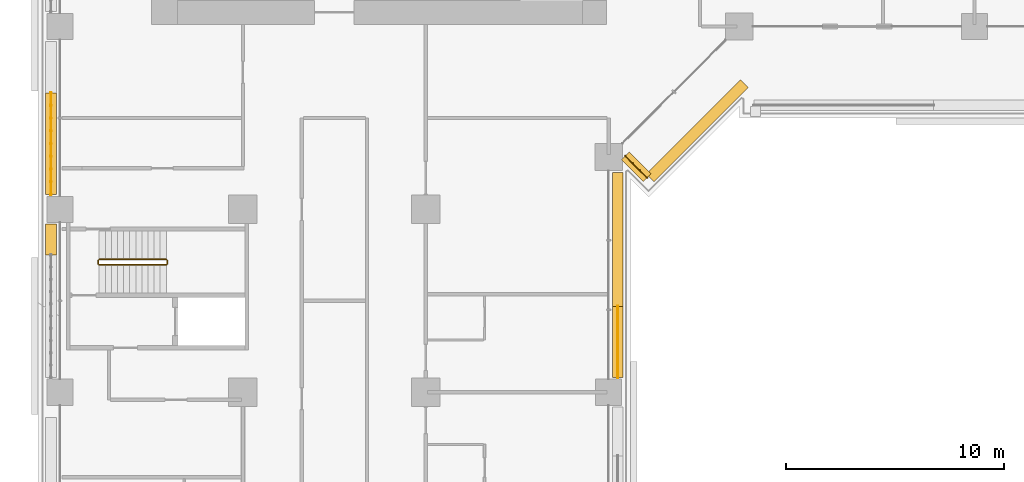
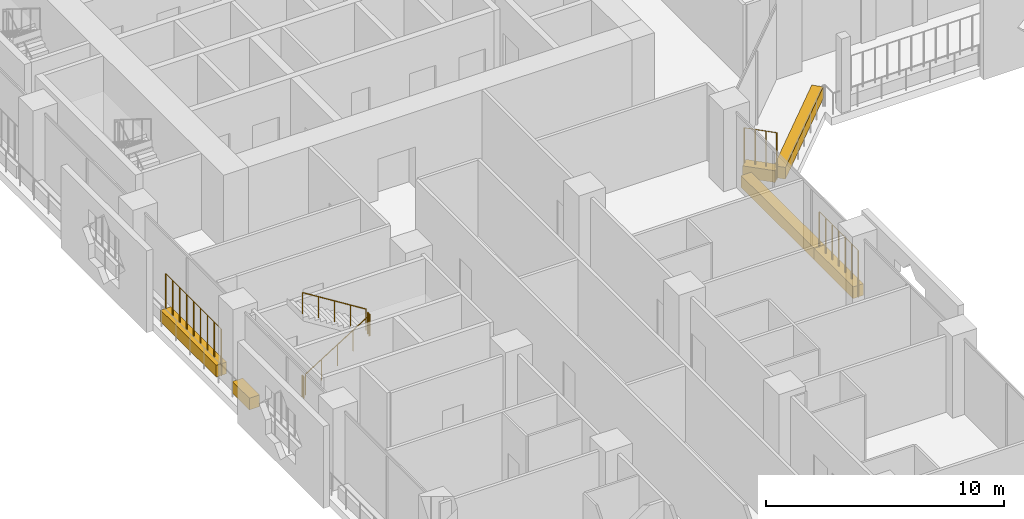
# One storey, part 21 of 27: 7 railings, 6 coverings.
"""IFC4 building model written with IfcOpenShell, lengths in metres."""

import ifcopenshell
import ifcopenshell.guid

model = None  # the IFC model being written
_history = None  # IfcOwnerHistory: only IFC2X3 demands one
_inside = {}  # id of a spatial element -> (the spatial element, [elements in it])
_under = {}  # id of a project, library or spatial element -> (it, [spatial elements below it])
_declared = {}  # id of a project -> (the project, [libraries it declares])
_typed = {}  # id of a type object -> (the type object, [elements of that type])
_made_of = {}  # id of a material, layer set ... -> (it, [elements and type objects made of it])


def new_model(schema):
    """Start an empty IFC model of exactly this schema.

    Asked for "IFC4X3", IfcOpenShell would pick the latest addendum, in which some entities
    have other attributes; the version numbers below select the first issue.
    IFC2X3 requires an IfcOwnerHistory on every rooted entity: one is made here for all.
    """
    global model, _history
    if schema == "IFC4X3":
        model = ifcopenshell.file(schema_version=(4, 3, 0, 0))
    else:
        model = ifcopenshell.file(schema=schema)
    _inside.clear()
    _under.clear()
    _declared.clear()
    _typed.clear()
    _made_of.clear()
    _history = None
    if model.schema == "IFC2X3":
        org = make("IfcOrganization", Name="unknown")
        user = make(
            "IfcPersonAndOrganization",
            ThePerson=make("IfcPerson", FamilyName="unknown"),
            TheOrganization=org,
        )
        app = make(
            "IfcApplication",
            ApplicationDeveloper=org,
            Version="unknown",
            ApplicationFullName="unknown",
            ApplicationIdentifier="unknown",
        )
        _history = make(
            "IfcOwnerHistory",
            OwningUser=user,
            OwningApplication=app,
            ChangeAction="ADDED",
            CreationDate=0,
        )
    return model


def make(cls, **values):
    """One entity of the class cls with the attributes given. An attribute that is None is left unset."""
    return model.create_entity(
        cls, **{name: value for name, value in values.items() if value is not None}
    )


def rooted(cls, **values):
    """An entity with a GlobalId (a new one), such as an element, a storey or a relation."""
    return make(cls, GlobalId=ifcopenshell.guid.new(), OwnerHistory=_history, **values)


def si_unit(unit_type, name, prefix=None):
    """IfcSIUnit, for example si_unit("LENGTHUNIT", "METRE", prefix="MILLI")."""
    return make("IfcSIUnit", UnitType=unit_type, Prefix=prefix, Name=name)


def assignment(units):
    """IfcUnitAssignment: the units of a project."""
    return None if units is None else make("IfcUnitAssignment", Units=units)


def point(xyz):
    """IfcCartesianPoint."""
    return None if xyz is None else make("IfcCartesianPoint", Coordinates=xyz)


def direction(xyz):
    """IfcDirection."""
    return None if xyz is None else make("IfcDirection", DirectionRatios=xyz)


def frame(location, z_axis=None, x_axis=None):
    """IfcAxis2Placement3D, a coordinate frame: its origin and axes. An axis left out is left unset."""
    return make(
        "IfcAxis2Placement3D",
        Location=point(location),
        Axis=direction(z_axis),
        RefDirection=direction(x_axis),
    )


def frame_2d(location, x_axis=None):
    """IfcAxis2Placement2D, a coordinate frame in the plane: its origin and x axis."""
    return make(
        "IfcAxis2Placement2D", Location=point(location), RefDirection=direction(x_axis)
    )


def origin():
    """The frame at (0, 0, 0) with its axes left unset."""
    return frame((0.0, 0.0, 0.0))


def origin_2d():
    """The frame at (0, 0) in the plane with its x axis left unset."""
    return frame_2d((0.0, 0.0))


def place(relative_to, where):
    """IfcLocalPlacement: puts the frame where relative to a parent placement (None: the world)."""
    return make(
        "IfcLocalPlacement", PlacementRelTo=relative_to, RelativePlacement=where
    )


def context(
    kind, dimensions, precision=None, world=None, true_north=None, identifier=None
):
    """IfcGeometricRepresentationContext, for example the 3D "Model" context."""
    return make(
        "IfcGeometricRepresentationContext",
        ContextIdentifier=identifier,
        ContextType=kind,
        CoordinateSpaceDimension=dimensions,
        Precision=precision,
        WorldCoordinateSystem=world,
        TrueNorth=true_north,
    )


def subcontext(parent, identifier, kind, view, scale=None):
    """IfcGeometricRepresentationSubContext, for example "Body" below "Model"."""
    return make(
        "IfcGeometricRepresentationSubContext",
        ContextIdentifier=identifier,
        ContextType=kind,
        ParentContext=parent,
        TargetScale=scale,
        TargetView=view,
    )


def project(units=None, contexts=None):
    """IfcProject with its units and contexts."""
    return rooted(
        "IfcProject",
        Name="project",
        RepresentationContexts=contexts,
        UnitsInContext=assignment(units),
    )


def spatial(cls, under=None, at=None, **own):
    """A site, building, storey or space (cls), placed at a placement, below another one or the project."""
    s = rooted(cls, ObjectPlacement=at, **own)
    if under is not None:
        _under.setdefault(under.id(), (under, []))[1].append(s)
    return s


def profile(cls, at=None, kind="AREA", **sizes):
    """A parametric profile (cls). Its sizes go by their IFC names, for example OverallWidth=200.0."""
    return make(cls, ProfileType=kind, Position=at, **sizes)


def rectangle(**sizes):
    """IfcRectangleProfileDef."""
    return profile("IfcRectangleProfileDef", **sizes)


def circle(**sizes):
    """IfcCircleProfileDef."""
    return profile("IfcCircleProfileDef", **sizes)


def extrude(swept, where, along, depth):
    """IfcExtrudedAreaSolid: the profile swept, set in the frame where, extruded along a direction by depth."""
    return make(
        "IfcExtrudedAreaSolid",
        SweptArea=swept,
        Position=where,
        ExtrudedDirection=direction(along),
        Depth=depth,
    )


def shape(context_of_items, identifier, shape_type, items):
    """IfcShapeRepresentation: the items that make up one representation, for example the "Body"."""
    return make(
        "IfcShapeRepresentation",
        ContextOfItems=context_of_items,
        RepresentationIdentifier=identifier,
        RepresentationType=shape_type,
        Items=items,
    )


def material(Name=None, Category=None):
    """IfcMaterial."""
    return make("IfcMaterial", Name=Name, Category=Category)


def material_profile(
    of_material, cross_section, Name=None, Category=None, Priority=None
):
    """IfcMaterialProfile: a cross section and its material."""
    return make(
        "IfcMaterialProfile",
        Name=Name,
        Material=of_material,
        Profile=cross_section,
        Priority=Priority,
        Category=Category,
    )


def profile_set(profiles, Name=None, composite=None):
    """IfcMaterialProfileSet."""
    return make(
        "IfcMaterialProfileSet",
        Name=Name,
        MaterialProfiles=profiles,
        CompositeProfile=composite,
    )


def made_of(thing, what):
    """Note that an element or type object is made of a material, layer set ...; save() writes the relation."""
    if what is not None:
        _made_of.setdefault(what.id(), (what, []))[1].append(thing)
    return thing


def type_object(cls, material=None, **own):
    """A type object (cls), such as IfcWallType, which elements share."""
    return made_of(rooted(cls, **own), material)


def element(
    cls,
    number,
    at=None,
    inside=None,
    cuts=None,
    type_object=None,
    material=None,
    context=None,
    identifier="Body",
    shape_type=None,
    held_by="IfcProductDefinitionShape",
    body=None,
    shapes=None,
    **own,
):
    """One element of the class cls, such as IfcWall. Its Tag is "e" and its number.

    at: its placement. inside: the storey or other place that contains it. cuts: it is an
    opening in that element (IfcRelVoidsElement). A single representation is given by context,
    identifier, shape_type and body (its items); several are given by shapes. held_by: the class
    of the entity that holds the representations. save() writes the other relations.
    """
    e = rooted(cls, Tag="e%d" % number, ObjectPlacement=at, **own)
    if body is not None:
        shapes = [shape(context, identifier, shape_type, body)]
    if shapes is not None:
        e.Representation = make(held_by, Representations=shapes)
    if inside is not None:
        _inside.setdefault(inside.id(), (inside, []))[1].append(e)
    if cuts is not None:
        rooted(
            "IfcRelVoidsElement", RelatingBuildingElement=cuts, RelatedOpeningElement=e
        )
    if type_object is not None:
        _typed.setdefault(type_object.id(), (type_object, []))[1].append(e)
    return made_of(e, material)


def aggregate(whole, parts):
    """IfcRelAggregates: a whole, such as a stair, and the parts it consists of."""
    return rooted("IfcRelAggregates", RelatingObject=whole, RelatedObjects=parts)


def save(model, path):
    """Write the relations noted so far, then the file.

    IfcRelAggregates (storeys below a building ...), IfcRelContainedInSpatialStructure (elements
    in a storey), IfcRelDefinesByType, IfcRelAssociatesMaterial and IfcRelDeclares: one each for
    every whole, place, type object, material and project.
    """
    for whole, parts in _under.values():
        aggregate(whole, parts)
    for where, things in _inside.values():
        rooted(
            "IfcRelContainedInSpatialStructure",
            RelatedElements=things,
            RelatingStructure=where,
        )
    for kind, things in _typed.values():
        rooted("IfcRelDefinesByType", RelatedObjects=things, RelatingType=kind)
    for what, things in _made_of.values():
        rooted("IfcRelAssociatesMaterial", RelatedObjects=things, RelatingMaterial=what)
    for by, libraries in _declared.values():
        rooted("IfcRelDeclares", RelatingContext=by, RelatedDefinitions=libraries)
    model.write(path)


model = new_model("IFC4")

# Units and contexts
model_context = context("Model", 3, precision=1e-05, world=origin(), true_north=direction((0.0, 1.0)))
body_context = subcontext(model_context, "Body", "Model", "MODEL_VIEW")
ifc_project = project(units=[si_unit("LENGTHUNIT", "METRE"), si_unit("AREAUNIT", "SQUARE_METRE"), si_unit("VOLUMEUNIT", "CUBIC_METRE"), si_unit("PLANEANGLEUNIT", "RADIAN"), si_unit("MASSUNIT", "GRAM", prefix="KILO")], contexts=[model_context])

# Site, building, storey
site_placement = place(None, origin())
site = spatial("IfcSite", under=ifc_project, at=site_placement, CompositionType="ELEMENT")
building_placement = place(site_placement, origin())
building = spatial("IfcBuilding", under=site, at=building_placement, Name="Kawkab Arch Medical Tower", CompositionType="ELEMENT")
storey_placement = place(building_placement, frame((0.0, 0.0, 85.39990234375)))
storey = spatial("IfcBuildingStorey", under=building, at=storey_placement, Name="L19", CompositionType="ELEMENT", Elevation=85.39990234375)

# Coverings
ifc_material_1 = material(Name="Planting soil in a precast trough", Category="concrete")
ifc_material_profile = material_profile(ifc_material_1, rectangle(XDim=0.5, YDim=0.60009765625, at=origin_2d()), Name="Trough 500x600")
ifc_profile_set = profile_set([ifc_material_profile], Name="Planting soil in a precast trough")
covering_type = type_object("IfcCoveringType", Name="Planter trough 500 x 600", PredefinedType="USERDEFINED", material=ifc_profile_set)
covering_1_placement = place(storey_placement, frame((-0.419921875, -35.699951171875, 0.300048828125), z_axis=(0.0, 1.0, 0.0), x_axis=(-1.0, 0.0, 0.0)))
element("IfcCovering", 1, at=covering_1_placement, inside=storey, type_object=covering_type, Name="Planter L19.LOG-01-01.10", ObjectType="PLANTER", PredefinedType="USERDEFINED", context=body_context, shape_type="SweptSolid", body=[
    extrude(rectangle(XDim=0.5, YDim=0.60009765625, at=origin_2d()), origin(), (0.0, 0.0, 1.0), 1.419921875),
])
covering_2_placement = place(storey_placement, frame((-0.419921875, -32.919921875, 0.300048828125), z_axis=(0.0, 1.0, 0.0), x_axis=(-1.0, 0.0, 0.0)))
element("IfcCovering", 2, at=covering_2_placement, inside=storey, type_object=covering_type, Name="Planter L19.LOG-01-01.11", ObjectType="PLANTER", PredefinedType="USERDEFINED", context=body_context, shape_type="SweptSolid", body=[
    extrude(rectangle(XDim=0.5, YDim=0.60009765625, at=origin_2d()), origin(), (0.0, 0.0, 1.0), 4.676025390625),
])
covering_3_placement = place(storey_placement, frame((31.43701171875, -27.820068359375, 0.300048828125), z_axis=(-0.707206504313, -0.707007043994, 0.0), x_axis=(0.707007043994, -0.707206504313, 0.0)))
element("IfcCovering", 3, at=covering_3_placement, inside=storey, type_object=covering_type, Name="Planter L19.LOG-01-01.42", ObjectType="PLANTER", PredefinedType="USERDEFINED", context=body_context, shape_type="SweptSolid", body=[
    extrude(rectangle(XDim=0.5, YDim=0.60009765625, at=origin_2d()), origin(), (0.0, 0.0, 1.0), 6.1201171875),
])
covering_4_placement = place(storey_placement, frame((26.967041015625, -32.14697265625, 0.300048828125), z_axis=(-0.707192746389, 0.707020805532, 0.0), x_axis=(-0.707020805532, -0.707192746389, 0.0)))
element("IfcCovering", 4, at=covering_4_placement, inside=storey, type_object=covering_type, Name="Planter L19.LOG-01-01.43", ObjectType="PLANTER", PredefinedType="USERDEFINED", context=body_context, shape_type="SweptSolid", body=[
    extrude(rectangle(XDim=0.5, YDim=0.60009765625, at=origin_2d()), origin(), (0.0, 0.0, 1.0), 1.419921875),
])
covering_5_placement = place(storey_placement, frame((25.6201171875, -31.905029296875, 0.300048828125), z_axis=(0.0, -1.0, 0.0), x_axis=(1.0, 0.0, 0.0)))
element("IfcCovering", 5, at=covering_5_placement, inside=storey, type_object=covering_type, Name="Planter L19.LOG-01-01.44", ObjectType="PLANTER", PredefinedType="USERDEFINED", context=body_context, shape_type="SweptSolid", body=[
    extrude(rectangle(XDim=0.5, YDim=0.60009765625, at=origin_2d()), origin(), (0.0, 0.0, 1.0), 6.14794921875),
])
covering_6_placement = place(storey_placement, frame((25.6201171875, -38.052978515625, 0.300048828125), z_axis=(0.0, -1.0, 0.0), x_axis=(1.0, 0.0, 0.0)))
element("IfcCovering", 6, at=covering_6_placement, inside=storey, type_object=covering_type, Name="Planter L19.LOG-01-01.45", ObjectType="PLANTER", PredefinedType="USERDEFINED", context=body_context, shape_type="SweptSolid", body=[
    extrude(rectangle(XDim=0.5, YDim=0.60009765625, at=origin_2d()), origin(), (0.0, 0.0, 1.0), 3.26708984375),
])

# Railings
ifc_material_2 = material(Name="Bronze anodised aluminium trellis for climbing plants", Category="aluminium")
railing_type_1 = type_object("IfcRailingType", Name="Planting trellis 2400", PredefinedType="USERDEFINED", material=ifc_material_2)
railing_1_placement = place(storey_placement, frame((-0.419921875, -32.919921875, 0.0)))
element("IfcRailing", 7, at=railing_1_placement, inside=storey, type_object=railing_type_1, Name="Planting trellis L19.LOG-01-01.11", ObjectType="TRELLIS", PredefinedType="USERDEFINED", context=body_context, shape_type="SweptSolid", body=[
    extrude(circle(Radius=0.01513671875, at=origin_2d()), frame((0.0, 0.0, 2.384765625), z_axis=(0.0, 1.0, 0.0), x_axis=(-1.0, 0.0, 0.0)), (0.0, 0.0, 1.0), 4.676025390625),
    extrude(circle(Radius=0.030029296875, at=origin_2d()), origin(), (0.0, 0.0, 1.0), 2.369873046875),
    extrude(circle(Radius=0.030029296875, at=origin_2d()), frame((0.0, 0.58447265625, 0.0)), (0.0, 0.0, 1.0), 2.369873046875),
    extrude(circle(Radius=0.030029296875, at=origin_2d()), frame((0.0, 1.1689453125, 0.0)), (0.0, 0.0, 1.0), 2.369873046875),
    extrude(circle(Radius=0.030029296875, at=origin_2d()), frame((0.0, 1.75341796875, 0.0)), (0.0, 0.0, 1.0), 2.369873046875),
    extrude(circle(Radius=0.030029296875, at=origin_2d()), frame((0.0, 2.337890625, 0.0)), (0.0, 0.0, 1.0), 2.369873046875),
    extrude(circle(Radius=0.030029296875, at=origin_2d()), frame((0.0, 2.922607421875, 0.0)), (0.0, 0.0, 1.0), 2.369873046875),
    extrude(circle(Radius=0.030029296875, at=origin_2d()), frame((0.0, 3.507080078125, 0.0)), (0.0, 0.0, 1.0), 2.369873046875),
    extrude(circle(Radius=0.030029296875, at=origin_2d()), frame((0.0, 4.091552734375, 0.0)), (0.0, 0.0, 1.0), 2.369873046875),
    extrude(circle(Radius=0.030029296875, at=origin_2d()), frame((0.0, 4.676025390625, 0.0)), (0.0, 0.0, 1.0), 2.369873046875),
])
railing_2_placement = place(storey_placement, frame((26.967041015625, -32.14697265625, 0.0)))
element("IfcRailing", 8, at=railing_2_placement, inside=storey, type_object=railing_type_1, Name="Planting trellis L19.LOG-01-01.43", ObjectType="TRELLIS", PredefinedType="USERDEFINED", context=body_context, shape_type="SweptSolid", body=[
    extrude(circle(Radius=0.01513671875, at=origin_2d()), frame((0.0, 0.0, 2.384765625), z_axis=(-0.707192746389, 0.707020805532, 0.0), x_axis=(-0.707020805532, -0.707192746389, 0.0)), (0.0, 0.0, 1.0), 1.419921875),
    extrude(circle(Radius=0.030029296875, at=origin_2d()), origin(), (0.0, 0.0, 1.0), 2.369873046875),
    extrude(circle(Radius=0.030029296875, at=origin_2d()), frame((-0.334716796875, 0.334716796875, 0.0)), (0.0, 0.0, 1.0), 2.369873046875),
    extrude(circle(Radius=0.030029296875, at=origin_2d()), frame((-0.66943359375, 0.669189453125, 0.0)), (0.0, 0.0, 1.0), 2.369873046875),
    extrude(circle(Radius=0.030029296875, at=origin_2d()), frame((-1.004150390625, 1.00390625, 0.0)), (0.0, 0.0, 1.0), 2.369873046875),
])
railing_3_placement = place(storey_placement, frame((25.6201171875, -38.052978515625, 0.0)))
element("IfcRailing", 9, at=railing_3_placement, inside=storey, type_object=railing_type_1, Name="Planting trellis L19.LOG-01-01.45", ObjectType="TRELLIS", PredefinedType="USERDEFINED", context=body_context, shape_type="SweptSolid", body=[
    extrude(circle(Radius=0.01513671875, at=origin_2d()), frame((0.0, 0.0, 2.384765625), z_axis=(0.0, -1.0, 0.0), x_axis=(1.0, 0.0, 0.0)), (0.0, 0.0, 1.0), 3.26708984375),
    extrude(circle(Radius=0.030029296875, at=origin_2d()), origin(), (0.0, 0.0, 1.0), 2.369873046875),
    extrude(circle(Radius=0.030029296875, at=origin_2d()), frame((0.0, -0.54443359375, 0.0)), (0.0, 0.0, 1.0), 2.369873046875),
    extrude(circle(Radius=0.030029296875, at=origin_2d()), frame((0.0, -1.089111328125, 0.0)), (0.0, 0.0, 1.0), 2.369873046875),
    extrude(circle(Radius=0.030029296875, at=origin_2d()), frame((0.0, -1.633544921875, 0.0)), (0.0, 0.0, 1.0), 2.369873046875),
    extrude(circle(Radius=0.030029296875, at=origin_2d()), frame((0.0, -2.177978515625, 0.0)), (0.0, 0.0, 1.0), 2.369873046875),
    extrude(circle(Radius=0.030029296875, at=origin_2d()), frame((0.0, -2.72265625, 0.0)), (0.0, 0.0, 1.0), 2.369873046875),
    extrude(circle(Radius=0.030029296875, at=origin_2d()), frame((0.0, -3.26708984375, 0.0)), (0.0, 0.0, 1.0), 2.369873046875),
])
ifc_material_3 = material(Name="Stainless steel", Category="steel")
railing_type_2 = type_object("IfcRailingType", Name="Stair guard 1100", PredefinedType="GUARDRAIL", material=ifc_material_3)
railing_4_placement = place(storey_placement, frame((1.800048828125, -36.14990234375, 0.175048828125)))
element("IfcRailing", 10, at=railing_4_placement, inside=storey, type_object=railing_type_2, Name="L19 ST6 stair guard 1", PredefinedType="GUARDRAIL", context=body_context, shape_type="SweptSolid", body=[
    extrude(circle(Radius=0.02392578125, at=origin_2d()), frame((0.0, 0.0, 1.076171875), z_axis=(0.847979421464, 0.0, 0.530029150871), x_axis=(0.0, 1.0, 0.0)), (0.0, 0.0, 1.0), 3.632080078125),
    extrude(circle(Radius=0.02099609375, at=origin_2d()), origin(), (0.0, 0.0, 1.0), 1.052001953125),
    extrude(circle(Radius=0.02099609375, at=origin_2d()), frame((0.77001953125, 0.0, 0.481201171875)), (0.0, 0.0, 1.0), 1.052001953125),
    extrude(circle(Radius=0.02099609375, at=origin_2d()), frame((1.5400390625, 0.0, 0.96240234375)), (0.0, 0.0, 1.0), 1.052001953125),
    extrude(circle(Radius=0.02099609375, at=origin_2d()), frame((2.309814453125, 0.0, 1.44384765625)), (0.0, 0.0, 1.0), 1.052001953125),
    extrude(circle(Radius=0.02099609375, at=origin_2d()), frame((3.079833984375, 0.0, 1.925048828125)), (0.0, 0.0, 1.0), 1.052001953125),
])
railing_5_placement = place(storey_placement, frame((4.929931640625, -36.10009765625, 2.10009765625)))
element("IfcRailing", 11, at=railing_5_placement, inside=storey, type_object=railing_type_2, Name="L19 ST6 stair guard 2", PredefinedType="GUARDRAIL", context=body_context, shape_type="SweptSolid", body=[
    extrude(circle(Radius=0.02392578125, at=origin_2d()), frame((0.0, 0.0, 1.076171875), z_axis=(0.0, 1.0, 0.0), x_axis=(-1.0, 0.0, 0.0)), (0.0, 0.0, 1.0), 0.150146484375),
    extrude(circle(Radius=0.02099609375, at=origin_2d()), origin(), (0.0, 0.0, 1.0), 1.052001953125),
    extrude(circle(Radius=0.02099609375, at=origin_2d()), frame((0.0, 0.150146484375, 0.0)), (0.0, 0.0, 1.0), 1.052001953125),
])
railing_6_placement = place(storey_placement, frame((4.8798828125, -35.89990234375, 2.275146484375)))
element("IfcRailing", 12, at=railing_6_placement, inside=storey, type_object=railing_type_2, Name="L19 ST6 stair guard 3", PredefinedType="GUARDRAIL", context=body_context, shape_type="SweptSolid", body=[
    extrude(circle(Radius=0.02392578125, at=origin_2d()), frame((0.0, 0.0, 1.076171875), z_axis=(-0.847979421464, 0.0, 0.530029150871), x_axis=(0.0, -1.0, 0.0)), (0.0, 0.0, 1.0), 3.632080078125),
    extrude(circle(Radius=0.02099609375, at=origin_2d()), origin(), (0.0, 0.0, 1.0), 1.052001953125),
    extrude(circle(Radius=0.02099609375, at=origin_2d()), frame((-0.77001953125, 0.0, 0.481201171875)), (0.0, 0.0, 1.0), 1.052001953125),
    extrude(circle(Radius=0.02099609375, at=origin_2d()), frame((-1.5400390625, 0.0, 0.96240234375)), (0.0, 0.0, 1.0), 1.052001953125),
    extrude(circle(Radius=0.02099609375, at=origin_2d()), frame((-2.309814453125, 0.0, 1.44384765625)), (0.0, 0.0, 1.0), 1.052001953125),
    extrude(circle(Radius=0.02099609375, at=origin_2d()), frame((-3.079833984375, 0.0, 1.925048828125)), (0.0, 0.0, 1.0), 1.052001953125),
])
railing_7_placement = place(storey_placement, frame((1.75, -36.10009765625, 0.0)))
element("IfcRailing", 13, at=railing_7_placement, inside=storey, type_object=railing_type_2, Name="L19 ST6 stair guard 4", PredefinedType="GUARDRAIL", context=body_context, shape_type="SweptSolid", body=[
    extrude(circle(Radius=0.02392578125, at=origin_2d()), frame((0.0, 0.0, 1.076171875), z_axis=(0.0, 1.0, 0.0), x_axis=(-1.0, 0.0, 0.0)), (0.0, 0.0, 1.0), 0.150146484375),
    extrude(circle(Radius=0.02099609375, at=origin_2d()), origin(), (0.0, 0.0, 1.0), 1.052001953125),
    extrude(circle(Radius=0.02099609375, at=origin_2d()), frame((0.0, 0.150146484375, 0.0)), (0.0, 0.0, 1.0), 1.052001953125),
])

save(model, "model.ifc")
